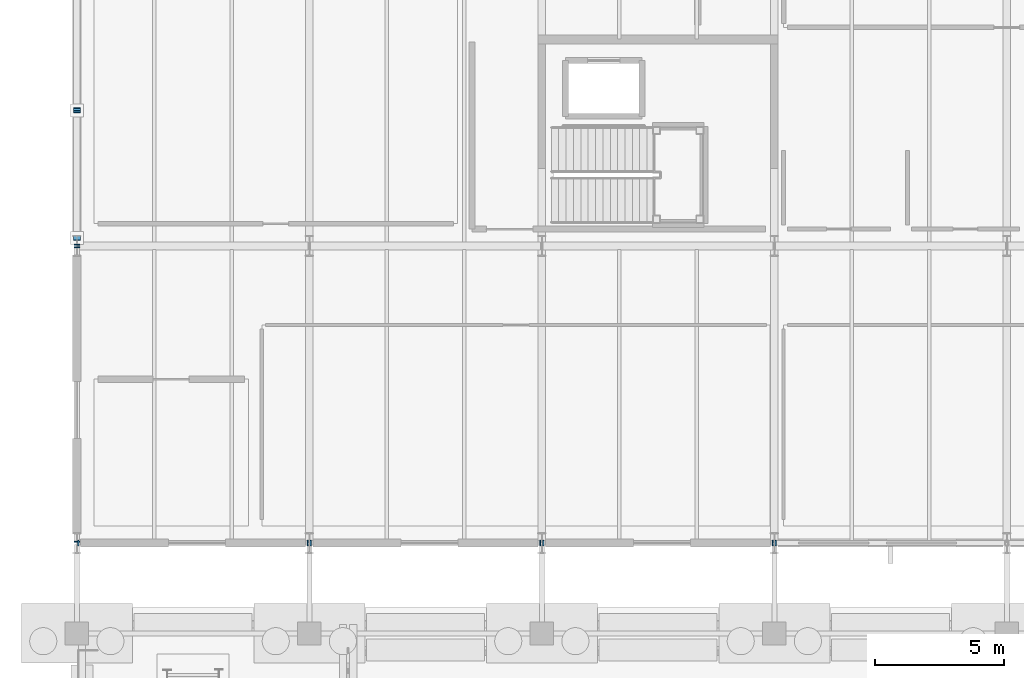
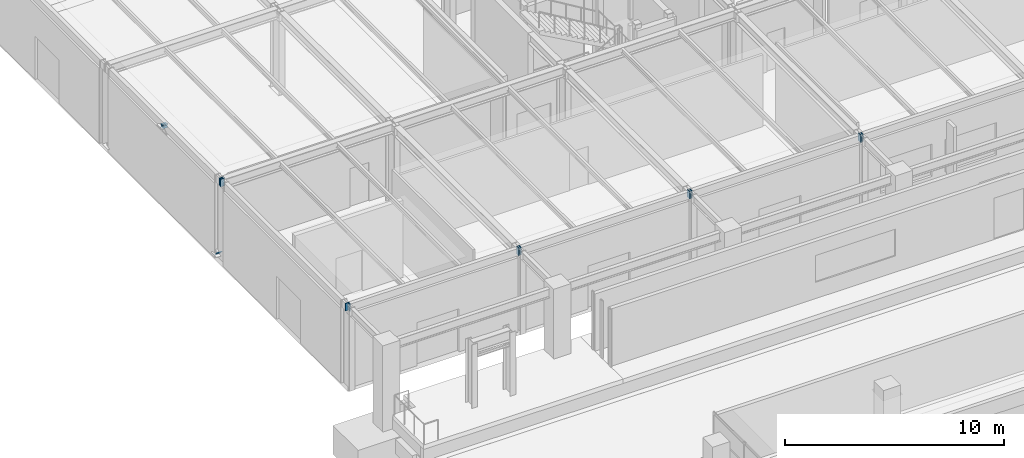
# One storey, part 125 of 160: 13 discrete accessories.
"""IFC4 building model written with IfcOpenShell, lengths in metres."""

from ifc_helpers import new_model, si_unit, direction, frame, origin, origin_2d, place, context, subcontext, project, spatial, rectangle, extrude, material, element, save


model = new_model("IFC4")

# Units and contexts
model_context = context("Model", 3, precision=1e-05, world=origin(), true_north=direction((0.0, 1.0)))
body_context = subcontext(model_context, "Body", "Model", "MODEL_VIEW")
ifc_project = project(units=[si_unit("LENGTHUNIT", "METRE"), si_unit("AREAUNIT", "SQUARE_METRE"), si_unit("VOLUMEUNIT", "CUBIC_METRE"), si_unit("PLANEANGLEUNIT", "RADIAN"), si_unit("MASSUNIT", "GRAM", prefix="KILO")], contexts=[model_context])

# Site, building, storey
site_placement = place(None, origin())
site = spatial("IfcSite", under=ifc_project, at=site_placement, CompositionType="ELEMENT")
building_placement = place(site_placement, origin())
building = spatial("IfcBuilding", under=site, at=building_placement, Name="Marlcrest Central Station", CompositionType="ELEMENT")
storey_placement = place(building_placement, origin())
storey = spatial("IfcBuildingStorey", under=building, at=storey_placement, Name="L00", CompositionType="ELEMENT", Elevation=0.0)

# Discrete accessories
ifc_material = material(Name="Steel S355", Category="steel")
for number, where, z_axis, x_axis, name in (
    (1, (0.03515625, 99.0, 4.409912109375), (1.0, 0.0, 0.0), (0.0, 1.0, 0.0), "endcap-bm-SP-01-L00-00108-s"),
    (2, (8.925048828125, 99.0, 4.409912109375), (1.0, 0.0, 0.0), (0.0, 1.0, 0.0), "endcap-bm-SP-01-L00-00108-e"),
    (3, (9.03515625, 99.0, 4.409912109375), (1.0, 0.0, 0.0), (0.0, 1.0, 0.0), "endcap-bm-SP-01-L00-00109-s"),
    (4, (17.925048828125, 99.0, 4.409912109375), (1.0, 0.0, 0.0), (0.0, 1.0, 0.0), "endcap-bm-SP-01-L00-00109-e"),
    (5, (18.03515625, 99.0, 4.409912109375), (1.0, 0.0, 0.0), (0.0, 1.0, 0.0), "endcap-bm-SP-01-L00-00110-s"),
    (6, (26.925048828125, 99.0, 4.409912109375), (1.0, 0.0, 0.0), (0.0, 1.0, 0.0), "endcap-bm-SP-01-L00-00110-e"),
    (7, (27.03515625, 99.0, 4.409912109375), (1.0, 0.0, 0.0), (0.0, 1.0, 0.0), "endcap-bm-SP-01-L00-00111-s"),
    (8, (0.0, 99.03515625, 4.409912109375), (0.0, 1.0, 0.0), (-1.0, 0.0, 0.0), "endcap-bm-SP-01-L00-00140-s"),
    (9, (0.0, 110.425048828125, 4.409912109375), (0.0, 1.0, 0.0), (-1.0, 0.0, 0.0), "endcap-bm-SP-01-L00-00140-e"),
    (10, (0.0, 110.53515625, 4.409912109375), (0.0, 1.0, 0.0), (-1.0, 0.0, 0.0), "endcap-bm-SP-01-L00-00141-s"),
):
    element("IfcDiscreteAccessory", number, at=place(storey_placement, frame(where, z_axis=z_axis, x_axis=x_axis)), inside=storey, material=ifc_material, Name=name, ObjectType="END_CAP_PLATE", PredefinedType="BRACKET", context=body_context, shape_type="SweptSolid", body=[
        extrude(rectangle(XDim=0.216064453125, YDim=0.416015625, at=origin_2d()), origin(), (0.0, 0.0, 1.0), 0.0400390625),
    ])
for number, where, z_axis, x_axis, name in (
    (11, (0.0, 110.78857421875, 0.240478515625), (0.0, 0.769355341614, 0.638821069103), (-1.0, 0.0, 0.0), "endcap-mem-BF-02-L00-00001-s"),
    (12, (0.0, 115.730712890625, 4.34423828125), (0.0, 0.769355341614, 0.638821069103), (-1.0, 0.0, 0.0), "endcap-mem-BF-02-L00-00001-e"),
    (13, (0.0, 115.769287109375, 4.34423828125), (0.0, -0.769355341614, 0.638821069103), (1.0, 0.0, 0.0), "endcap-mem-BF-02-L00-00002-e"),
):
    element("IfcDiscreteAccessory", number, at=place(storey_placement, frame(where, z_axis=z_axis, x_axis=x_axis)), inside=storey, material=ifc_material, Name=name, ObjectType="END_CAP_PLATE", PredefinedType="BRACKET", context=body_context, shape_type="SweptSolid", body=[
        extrude(rectangle(XDim=0.26611328125, YDim=0.26611328125, at=origin_2d()), origin(), (0.0, 0.0, 1.0), 0.0400390625),
    ])

save(model, "model.ifc")
